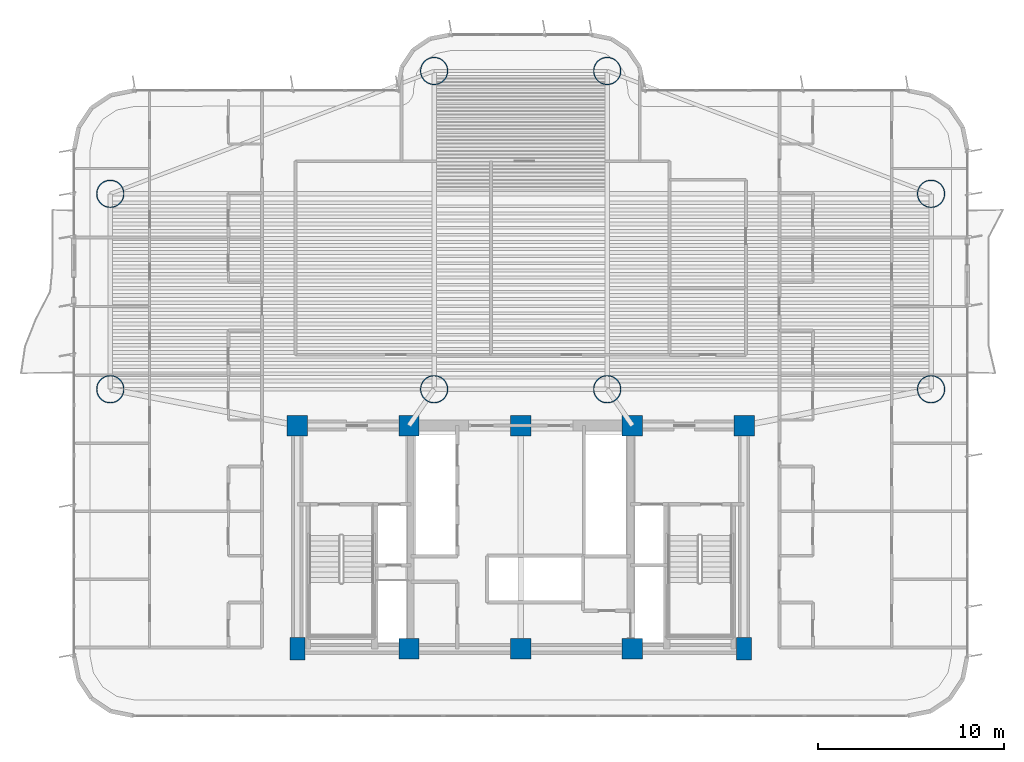
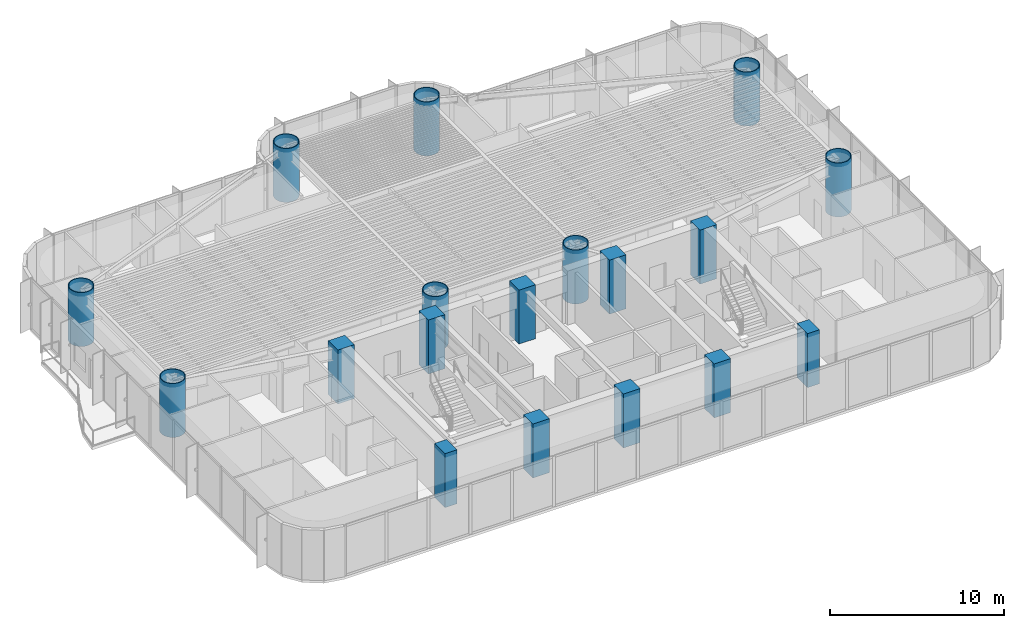
# One storey, part 1 of 19: 18 columns.
"""IFC4 building model written with IfcOpenShell, lengths in metres."""

import ifcopenshell
import ifcopenshell.guid

model = None  # the IFC model being written
_history = None  # IfcOwnerHistory: only IFC2X3 demands one
_inside = {}  # id of a spatial element -> (the spatial element, [elements in it])
_under = {}  # id of a project, library or spatial element -> (it, [spatial elements below it])
_declared = {}  # id of a project -> (the project, [libraries it declares])
_typed = {}  # id of a type object -> (the type object, [elements of that type])
_made_of = {}  # id of a material, layer set ... -> (it, [elements and type objects made of it])


def new_model(schema):
    """Start an empty IFC model of exactly this schema.

    Asked for "IFC4X3", IfcOpenShell would pick the latest addendum, in which some entities
    have other attributes; the version numbers below select the first issue.
    IFC2X3 requires an IfcOwnerHistory on every rooted entity: one is made here for all.
    """
    global model, _history
    if schema == "IFC4X3":
        model = ifcopenshell.file(schema_version=(4, 3, 0, 0))
    else:
        model = ifcopenshell.file(schema=schema)
    _inside.clear()
    _under.clear()
    _declared.clear()
    _typed.clear()
    _made_of.clear()
    _history = None
    if model.schema == "IFC2X3":
        org = make("IfcOrganization", Name="unknown")
        user = make(
            "IfcPersonAndOrganization",
            ThePerson=make("IfcPerson", FamilyName="unknown"),
            TheOrganization=org,
        )
        app = make(
            "IfcApplication",
            ApplicationDeveloper=org,
            Version="unknown",
            ApplicationFullName="unknown",
            ApplicationIdentifier="unknown",
        )
        _history = make(
            "IfcOwnerHistory",
            OwningUser=user,
            OwningApplication=app,
            ChangeAction="ADDED",
            CreationDate=0,
        )
    return model


def make(cls, **values):
    """One entity of the class cls with the attributes given. An attribute that is None is left unset."""
    return model.create_entity(
        cls, **{name: value for name, value in values.items() if value is not None}
    )


def rooted(cls, **values):
    """An entity with a GlobalId (a new one), such as an element, a storey or a relation."""
    return make(cls, GlobalId=ifcopenshell.guid.new(), OwnerHistory=_history, **values)


def si_unit(unit_type, name, prefix=None):
    """IfcSIUnit, for example si_unit("LENGTHUNIT", "METRE", prefix="MILLI")."""
    return make("IfcSIUnit", UnitType=unit_type, Prefix=prefix, Name=name)


def assignment(units):
    """IfcUnitAssignment: the units of a project."""
    return None if units is None else make("IfcUnitAssignment", Units=units)


def point(xyz):
    """IfcCartesianPoint."""
    return None if xyz is None else make("IfcCartesianPoint", Coordinates=xyz)


def direction(xyz):
    """IfcDirection."""
    return None if xyz is None else make("IfcDirection", DirectionRatios=xyz)


def frame(location, z_axis=None, x_axis=None):
    """IfcAxis2Placement3D, a coordinate frame: its origin and axes. An axis left out is left unset."""
    return make(
        "IfcAxis2Placement3D",
        Location=point(location),
        Axis=direction(z_axis),
        RefDirection=direction(x_axis),
    )


def frame_2d(location, x_axis=None):
    """IfcAxis2Placement2D, a coordinate frame in the plane: its origin and x axis."""
    return make(
        "IfcAxis2Placement2D", Location=point(location), RefDirection=direction(x_axis)
    )


def origin():
    """The frame at (0, 0, 0) with its axes left unset."""
    return frame((0.0, 0.0, 0.0))


def origin_2d():
    """The frame at (0, 0) in the plane with its x axis left unset."""
    return frame_2d((0.0, 0.0))


def place(relative_to, where):
    """IfcLocalPlacement: puts the frame where relative to a parent placement (None: the world)."""
    return make(
        "IfcLocalPlacement", PlacementRelTo=relative_to, RelativePlacement=where
    )


def context(
    kind, dimensions, precision=None, world=None, true_north=None, identifier=None
):
    """IfcGeometricRepresentationContext, for example the 3D "Model" context."""
    return make(
        "IfcGeometricRepresentationContext",
        ContextIdentifier=identifier,
        ContextType=kind,
        CoordinateSpaceDimension=dimensions,
        Precision=precision,
        WorldCoordinateSystem=world,
        TrueNorth=true_north,
    )


def subcontext(parent, identifier, kind, view, scale=None):
    """IfcGeometricRepresentationSubContext, for example "Body" below "Model"."""
    return make(
        "IfcGeometricRepresentationSubContext",
        ContextIdentifier=identifier,
        ContextType=kind,
        ParentContext=parent,
        TargetScale=scale,
        TargetView=view,
    )


def project(units=None, contexts=None):
    """IfcProject with its units and contexts."""
    return rooted(
        "IfcProject",
        Name="project",
        RepresentationContexts=contexts,
        UnitsInContext=assignment(units),
    )


def spatial(cls, under=None, at=None, **own):
    """A site, building, storey or space (cls), placed at a placement, below another one or the project."""
    s = rooted(cls, ObjectPlacement=at, **own)
    if under is not None:
        _under.setdefault(under.id(), (under, []))[1].append(s)
    return s


def profile(cls, at=None, kind="AREA", **sizes):
    """A parametric profile (cls). Its sizes go by their IFC names, for example OverallWidth=200.0."""
    return make(cls, ProfileType=kind, Position=at, **sizes)


def rectangle(**sizes):
    """IfcRectangleProfileDef."""
    return profile("IfcRectangleProfileDef", **sizes)


def hollow_circle(**sizes):
    """IfcCircleHollowProfileDef."""
    return profile("IfcCircleHollowProfileDef", **sizes)


def extrude(swept, where, along, depth):
    """IfcExtrudedAreaSolid: the profile swept, set in the frame where, extruded along a direction by depth."""
    return make(
        "IfcExtrudedAreaSolid",
        SweptArea=swept,
        Position=where,
        ExtrudedDirection=direction(along),
        Depth=depth,
    )


def shape(context_of_items, identifier, shape_type, items):
    """IfcShapeRepresentation: the items that make up one representation, for example the "Body"."""
    return make(
        "IfcShapeRepresentation",
        ContextOfItems=context_of_items,
        RepresentationIdentifier=identifier,
        RepresentationType=shape_type,
        Items=items,
    )


def source(mapping_origin, context_of_items, identifier, shape_type, items):
    """IfcRepresentationMap: a shape defined once, which mapped items show again and again."""
    return make(
        "IfcRepresentationMap",
        MappingOrigin=mapping_origin,
        MappedRepresentation=shape(context_of_items, identifier, shape_type, items),
    )


def transform(
    local_origin,
    x_axis=None,
    y_axis=None,
    z_axis=None,
    scale=None,
    scale2=None,
    scale3=None,
    uniform=True,
):
    """IfcCartesianTransformationOperator3D, or its non-uniform kind. x_axis, y_axis, z_axis: its Axis1, 2, 3."""
    if uniform:
        return make(
            "IfcCartesianTransformationOperator3D",
            Axis1=direction(x_axis),
            Axis2=direction(y_axis),
            LocalOrigin=point(local_origin),
            Scale=scale,
            Axis3=direction(z_axis),
        )
    return make(
        "IfcCartesianTransformationOperator3DnonUniform",
        Axis1=direction(x_axis),
        Axis2=direction(y_axis),
        LocalOrigin=point(local_origin),
        Scale=scale,
        Axis3=direction(z_axis),
        Scale2=scale2,
        Scale3=scale3,
    )


def mapped(mapping_source, mapping_target):
    """IfcMappedItem: shows the shape of a source again, moved by a transform."""
    return make(
        "IfcMappedItem", MappingSource=mapping_source, MappingTarget=mapping_target
    )


def material(Name=None, Category=None):
    """IfcMaterial."""
    return make("IfcMaterial", Name=Name, Category=Category)


def material_profile(
    of_material, cross_section, Name=None, Category=None, Priority=None
):
    """IfcMaterialProfile: a cross section and its material."""
    return make(
        "IfcMaterialProfile",
        Name=Name,
        Material=of_material,
        Profile=cross_section,
        Priority=Priority,
        Category=Category,
    )


def profile_set(profiles, Name=None, composite=None):
    """IfcMaterialProfileSet."""
    return make(
        "IfcMaterialProfileSet",
        Name=Name,
        MaterialProfiles=profiles,
        CompositeProfile=composite,
    )


def made_of(thing, what):
    """Note that an element or type object is made of a material, layer set ...; save() writes the relation."""
    if what is not None:
        _made_of.setdefault(what.id(), (what, []))[1].append(thing)
    return thing


def type_object(cls, material=None, **own):
    """A type object (cls), such as IfcWallType, which elements share."""
    return made_of(rooted(cls, **own), material)


def element(
    cls,
    number,
    at=None,
    inside=None,
    cuts=None,
    type_object=None,
    material=None,
    context=None,
    identifier="Body",
    shape_type=None,
    held_by="IfcProductDefinitionShape",
    body=None,
    shapes=None,
    **own,
):
    """One element of the class cls, such as IfcWall. Its Tag is "e" and its number.

    at: its placement. inside: the storey or other place that contains it. cuts: it is an
    opening in that element (IfcRelVoidsElement). A single representation is given by context,
    identifier, shape_type and body (its items); several are given by shapes. held_by: the class
    of the entity that holds the representations. save() writes the other relations.
    """
    e = rooted(cls, Tag="e%d" % number, ObjectPlacement=at, **own)
    if body is not None:
        shapes = [shape(context, identifier, shape_type, body)]
    if shapes is not None:
        e.Representation = make(held_by, Representations=shapes)
    if inside is not None:
        _inside.setdefault(inside.id(), (inside, []))[1].append(e)
    if cuts is not None:
        rooted(
            "IfcRelVoidsElement", RelatingBuildingElement=cuts, RelatedOpeningElement=e
        )
    if type_object is not None:
        _typed.setdefault(type_object.id(), (type_object, []))[1].append(e)
    return made_of(e, material)


def aggregate(whole, parts):
    """IfcRelAggregates: a whole, such as a stair, and the parts it consists of."""
    return rooted("IfcRelAggregates", RelatingObject=whole, RelatedObjects=parts)


def save(model, path):
    """Write the relations noted so far, then the file.

    IfcRelAggregates (storeys below a building ...), IfcRelContainedInSpatialStructure (elements
    in a storey), IfcRelDefinesByType, IfcRelAssociatesMaterial and IfcRelDeclares: one each for
    every whole, place, type object, material and project.
    """
    for whole, parts in _under.values():
        aggregate(whole, parts)
    for where, things in _inside.values():
        rooted(
            "IfcRelContainedInSpatialStructure",
            RelatedElements=things,
            RelatingStructure=where,
        )
    for kind, things in _typed.values():
        rooted("IfcRelDefinesByType", RelatedObjects=things, RelatingType=kind)
    for what, things in _made_of.values():
        rooted("IfcRelAssociatesMaterial", RelatedObjects=things, RelatingMaterial=what)
    for by, libraries in _declared.values():
        rooted("IfcRelDeclares", RelatingContext=by, RelatedDefinitions=libraries)
    model.write(path)


model = new_model("IFC4")

# Units and contexts
model_context = context("Model", 3, precision=1e-05, world=origin(), true_north=direction((0.0, 1.0)))
body_context = subcontext(model_context, "Body", "Model", "MODEL_VIEW")
ifc_project = project(units=[si_unit("LENGTHUNIT", "METRE"), si_unit("AREAUNIT", "SQUARE_METRE"), si_unit("VOLUMEUNIT", "CUBIC_METRE"), si_unit("PLANEANGLEUNIT", "RADIAN"), si_unit("MASSUNIT", "GRAM", prefix="KILO")], contexts=[model_context])

# Site, building, storey
site_placement = place(None, origin())
site = spatial("IfcSite", under=ifc_project, at=site_placement, CompositionType="ELEMENT")
building_placement = place(site_placement, origin())
building = spatial("IfcBuilding", under=site, at=building_placement, Name="Brelvock Crest Care Tower", CompositionType="ELEMENT")
storey_placement = place(building_placement, frame((0.0, 0.0, 34.56005859375)))
storey = spatial("IfcBuildingStorey", under=building, at=storey_placement, Name="L08", CompositionType="ELEMENT", Elevation=34.56005859375)

# Columns
ifc_material_1 = material(Name="Concrete S80 (80 MPa)", Category="concrete")
ifc_material_profile_1 = material_profile(ifc_material_1, rectangle(XDim=0.800048828125, YDim=1.199951171875, at=origin_2d()), Name="RC800x1200")
ifc_profile_set_1 = profile_set([ifc_material_profile_1], Name="Concrete S80 (80 MPa)")
column_type_1 = type_object("IfcColumnType", Name="COL-RC5", PredefinedType="COLUMN", material=ifc_profile_set_1)
shared_shape_1 = source(origin(), body_context, "Body", "SweptSolid", [
    extrude(rectangle(XDim=0.800048828125, YDim=1.199951171875, at=origin_2d()), origin(), (0.0, 0.0, 1.0), 3.780029296875),
])
for number, where, z_axis, x_axis, name in (
    (1, (24.0, 6.0, 0.0), (0.0, 0.0, 1.0), (1.0, 0.0, 0.0), "L08 Core Column CC-01"),
    (2, (48.0, 6.0, 0.0), (0.0, 0.0, 1.0), (1.0, 0.0, 0.0), "L08 Core Column CC-05"),
):
    element("IfcColumn", number, at=place(storey_placement, frame(where, z_axis=z_axis, x_axis=x_axis)), inside=storey, type_object=column_type_1, Name=name, PredefinedType="COLUMN", context=body_context, shape_type="MappedRepresentation", body=[
        mapped(shared_shape_1, transform((0.0, 0.0, 0.0), x_axis=(1.0, 0.0, 0.0), y_axis=(0.0, 1.0, 0.0), z_axis=(0.0, 0.0, 1.0), scale=1.0)),
    ])
ifc_material_profile_2 = material_profile(ifc_material_1, rectangle(XDim=1.10009765625, YDim=1.10009765625, at=origin_2d()), Name="RC1100x1100")
ifc_profile_set_2 = profile_set([ifc_material_profile_2], Name="Concrete S80 (80 MPa)")
column_type_2 = type_object("IfcColumnType", Name="COL-RC1", PredefinedType="COLUMN", material=ifc_profile_set_2)
shared_shape_2 = source(origin(), body_context, "Body", "SweptSolid", [
    extrude(rectangle(XDim=1.10009765625, YDim=1.10009765625, at=origin_2d()), origin(), (0.0, 0.0, 1.0), 3.780029296875),
])
for number, where, z_axis, x_axis, name in (
    (3, (30.0, 6.0, 0.0), (0.0, 0.0, 1.0), (1.0, 0.0, 0.0), "L08 Core Column CC-02"),
    (4, (36.0, 6.0, 0.0), (0.0, 0.0, 1.0), (1.0, 0.0, 0.0), "L08 Core Column CC-03"),
    (5, (42.0, 6.0, 0.0), (0.0, 0.0, 1.0), (1.0, 0.0, 0.0), "L08 Core Column CC-04"),
    (6, (24.0, 18.0, 0.0), (0.0, 0.0, 1.0), (1.0, 0.0, 0.0), "L08 Core Column CC-06"),
    (7, (30.0, 18.0, 0.0), (0.0, 0.0, 1.0), (1.0, 0.0, 0.0), "L08 Core Column CC-07"),
    (8, (36.0, 18.0, 0.0), (0.0, 0.0, 1.0), (1.0, 0.0, 0.0), "L08 Core Column CC-08"),
    (9, (42.0, 18.0, 0.0), (0.0, 0.0, 1.0), (1.0, 0.0, 0.0), "L08 Core Column CC-09"),
    (10, (48.0, 18.0, 0.0), (0.0, 0.0, 1.0), (1.0, 0.0, 0.0), "L08 Core Column CC-10"),
):
    element("IfcColumn", number, at=place(storey_placement, frame(where, z_axis=z_axis, x_axis=x_axis)), inside=storey, type_object=column_type_2, Name=name, PredefinedType="COLUMN", context=body_context, shape_type="MappedRepresentation", body=[
        mapped(shared_shape_2, transform((0.0, 0.0, 0.0), x_axis=(1.0, 0.0, 0.0), y_axis=(0.0, 1.0, 0.0), z_axis=(0.0, 0.0, 1.0), scale=1.0)),
    ])
ifc_material_2 = material(Name="Steel Grade 350", Category="steel")
ifc_material_profile_3 = material_profile(ifc_material_2, hollow_circle(Radius=0.75, WallThickness=0.050048828125, at=origin_2d()), Name="CFT1500x50")
ifc_profile_set_3 = profile_set([ifc_material_profile_3], Name="Steel Grade 350")
column_type_3 = type_object("IfcColumnType", Name="COL-MC1", PredefinedType="COLUMN", material=ifc_profile_set_3)
shared_shape_3 = source(origin(), body_context, "Body", "SweptSolid", [
    extrude(hollow_circle(Radius=0.75, WallThickness=0.050048828125, at=origin_2d()), origin(), (0.0, 0.0, 1.0), 3.780029296875),
])
for number, where, z_axis, x_axis, name in (
    (11, (13.949951171875, 19.949951171875, 0.0), (0.0, 0.0, 1.0), (1.0, 0.0, 0.0), "L08 Tower Column M1"),
    (12, (13.949951171875, 30.449951171875, 0.0), (0.0, 0.0, 1.0), (1.0, 0.0, 0.0), "L08 Tower Column M2"),
    (13, (58.050048828125, 19.949951171875, 0.0), (0.0, 0.0, 1.0), (1.0, 0.0, 0.0), "L08 Tower Column M3"),
    (14, (58.050048828125, 30.449951171875, 0.0), (0.0, 0.0, 1.0), (1.0, 0.0, 0.0), "L08 Tower Column M4"),
    (15, (31.35009765625, 19.949951171875, 0.0), (0.0, 0.0, 1.0), (1.0, 0.0, 0.0), "L08 Tower Column M5"),
    (16, (40.64990234375, 19.949951171875, 0.0), (0.0, 0.0, 1.0), (1.0, 0.0, 0.0), "L08 Tower Column M6"),
    (17, (31.35009765625, 37.050048828125, 0.0), (0.0, 0.0, 1.0), (1.0, 0.0, 0.0), "L08 Tower Column M7"),
    (18, (40.64990234375, 37.050048828125, 0.0), (0.0, 0.0, 1.0), (1.0, 0.0, 0.0), "L08 Tower Column M8"),
):
    element("IfcColumn", number, at=place(storey_placement, frame(where, z_axis=z_axis, x_axis=x_axis)), inside=storey, type_object=column_type_3, Name=name, PredefinedType="COLUMN", context=body_context, shape_type="MappedRepresentation", body=[
        mapped(shared_shape_3, transform((0.0, 0.0, 0.0), x_axis=(1.0, 0.0, 0.0), y_axis=(0.0, 1.0, 0.0), z_axis=(0.0, 0.0, 1.0), scale=1.0)),
    ])

save(model, "model.ifc")
